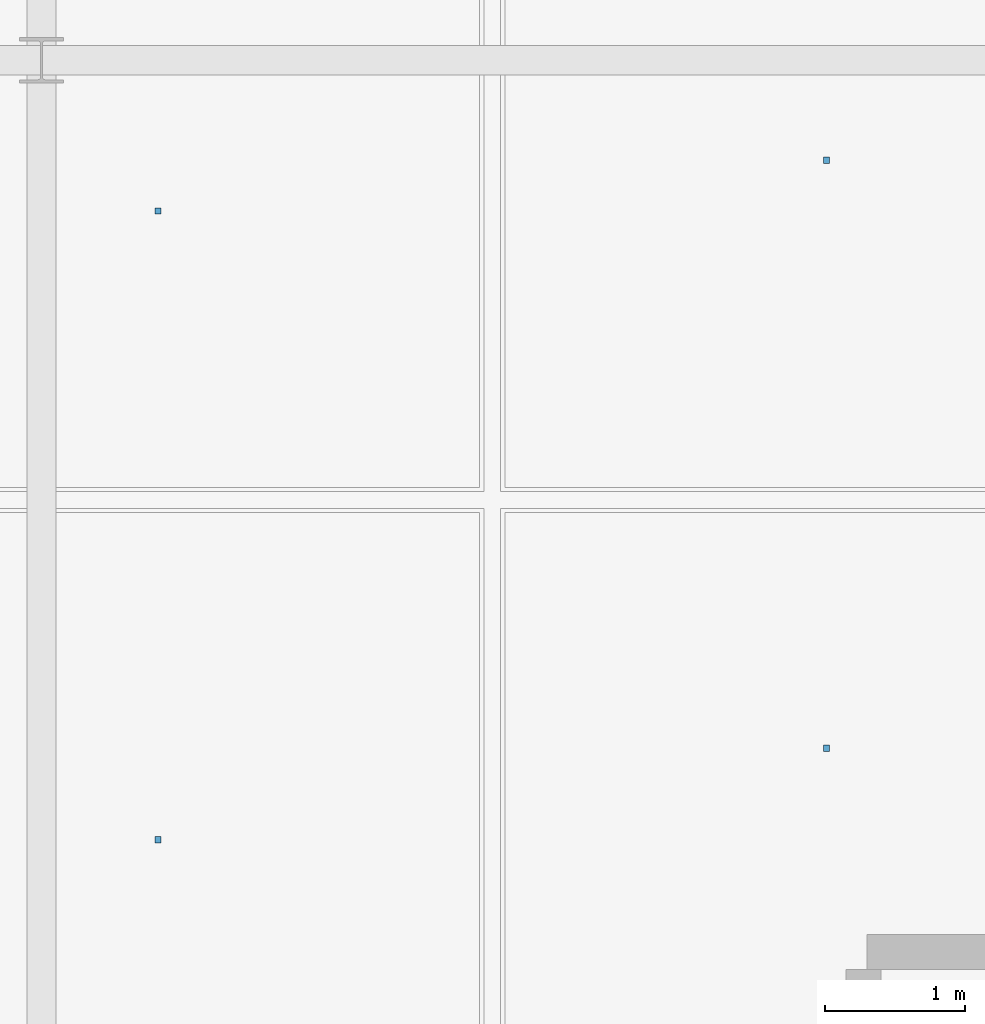
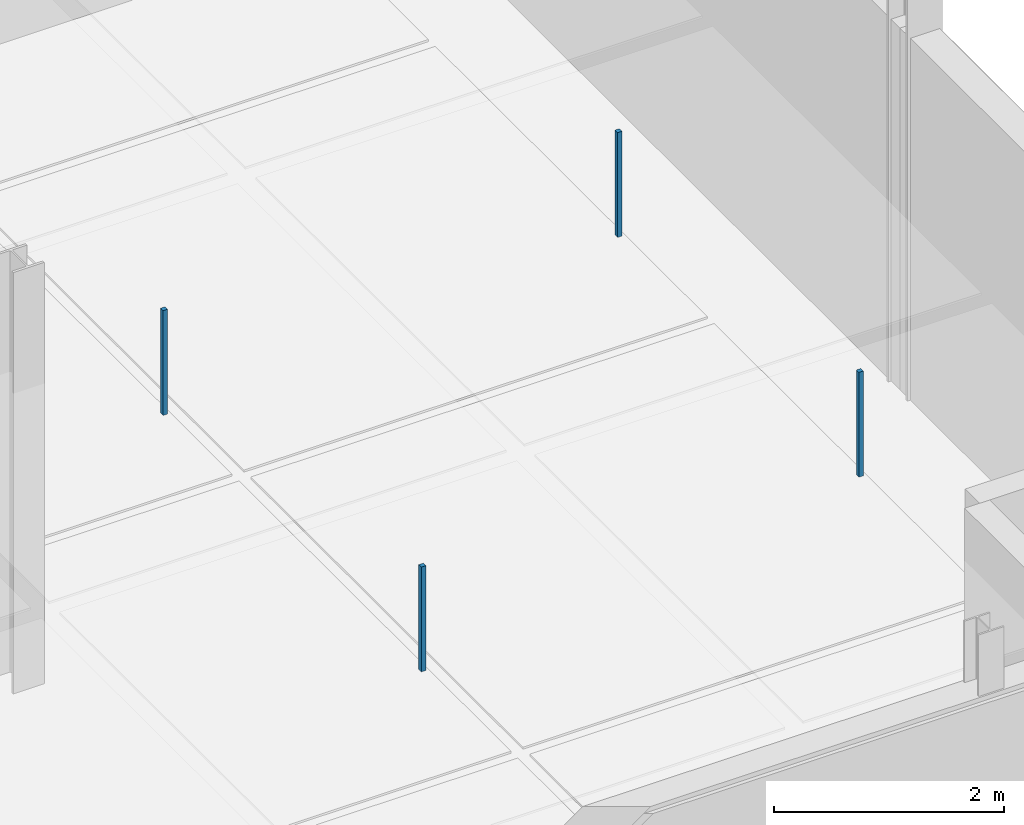
# One storey, part 56 of 89: 4 discrete accessories.
"""IFC4 building model written with IfcOpenShell, lengths in metres."""

from ifc_helpers import new_model, si_unit, direction, frame, origin, origin_2d, place, context, subcontext, project, spatial, rectangle, extrude, material, type_object, element, save


model = new_model("IFC4")

# Units and contexts
model_context = context("Model", 3, precision=1e-05, world=origin(), true_north=direction((0.0, 1.0)))
body_context = subcontext(model_context, "Body", "Model", "MODEL_VIEW")
ifc_project = project(units=[si_unit("LENGTHUNIT", "METRE"), si_unit("AREAUNIT", "SQUARE_METRE"), si_unit("VOLUMEUNIT", "CUBIC_METRE"), si_unit("PLANEANGLEUNIT", "RADIAN"), si_unit("MASSUNIT", "GRAM", prefix="KILO"), si_unit("THERMODYNAMICTEMPERATUREUNIT", "KELVIN"), si_unit("POWERUNIT", "WATT")], contexts=[model_context])

# Site, building, storey
site_placement = place(None, origin())
site = spatial("IfcSite", under=ifc_project, at=site_placement, CompositionType="ELEMENT")
building_placement = place(site_placement, origin())
building = spatial("IfcBuilding", under=site, at=building_placement, Name="Tallowbark Science Centre", CompositionType="ELEMENT")
storey_placement = place(building_placement, frame((0.0, 0.0, 14.39990234375)))
storey = spatial("IfcBuildingStorey", under=building, at=storey_placement, Name="L03", CompositionType="ELEMENT", Elevation=14.39990234375)

# Discrete accessories
ifc_material = material(Name="Galvanised Steel Grade C350L0 (350 MPa)", Category="steel")
discrete_accessory_type = type_object("IfcDiscreteAccessoryType", Name="ACC-CLG-HNG", PredefinedType="BRACKET", material=ifc_material)
for number, where, z_axis, x_axis, name in (
    (1, (95.333251953125, 7.9287109375, 3.20947265625), (0.0, 0.0, 1.0), (1.0, 0.0, 0.0), "Ceiling Hanger Bracket L03-986"),
    (2, (95.333251953125, 12.423583984375, 3.20947265625), (0.0, 0.0, 1.0), (1.0, 0.0, 0.0), "Ceiling Hanger Bracket L03-987"),
    (3, (100.111083984375, 8.58349609375, 3.20947265625), (0.0, 0.0, 1.0), (1.0, 0.0, 0.0), "Ceiling Hanger Bracket L03-990"),
    (4, (100.111083984375, 12.78564453125, 3.20947265625), (0.0, 0.0, 1.0), (1.0, 0.0, 0.0), "Ceiling Hanger Bracket L03-991"),
):
    element("IfcDiscreteAccessory", number, at=place(storey_placement, frame(where, z_axis=z_axis, x_axis=x_axis)), inside=storey, type_object=discrete_accessory_type, Name=name, PredefinedType="BRACKET", context=body_context, shape_type="SweptSolid", body=[
        extrude(rectangle(XDim=0.044921875, YDim=0.044921875, at=origin_2d()), origin(), (0.0, 0.0, 1.0), 1.113525390625),
    ])

save(model, "model.ifc")
